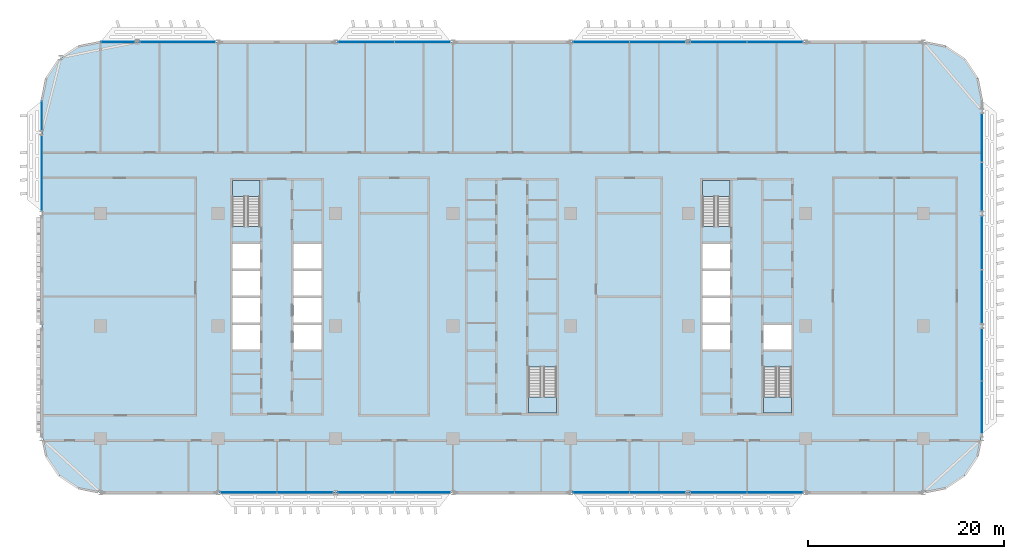
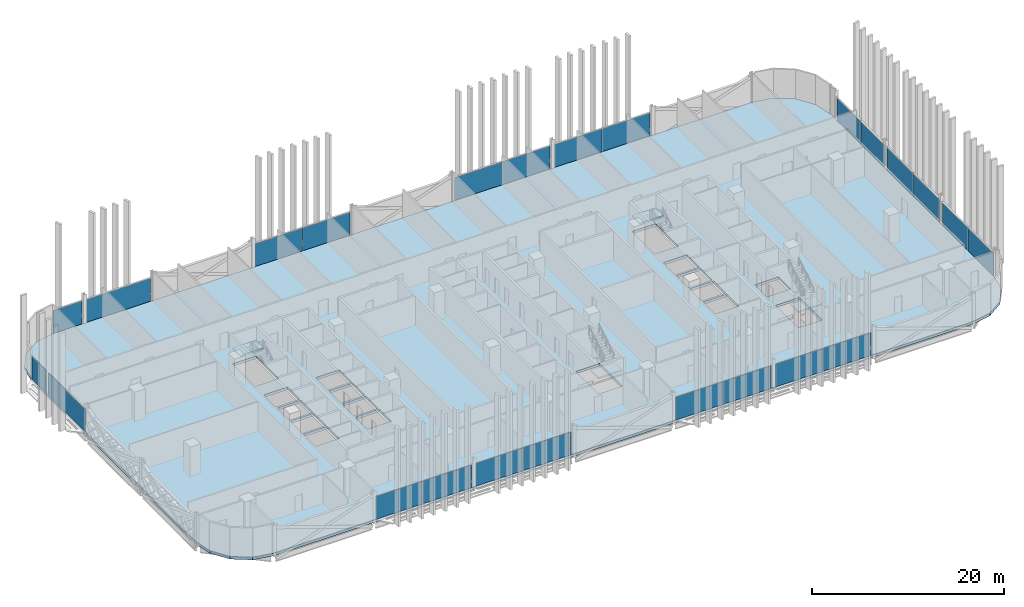
# One storey, part 11 of 32: 24 plates, 5 slabs, 18 elements without a shape of their own.
"""IFC4 building model written with IfcOpenShell, lengths in metres."""

from ifc_helpers import new_model, si_unit, direction, frame, origin, origin_2d, place, context, subcontext, project, spatial, polyline, rectangle, outline, extrude, material, layer, layer_set, type_object, element, aggregate, save


model = new_model("IFC4")

# Units and contexts
model_context = context("Model", 3, precision=1e-05, world=origin(), true_north=direction((0.0, 1.0)))
body_context = subcontext(model_context, "Body", "Model", "MODEL_VIEW")
ifc_project = project(units=[si_unit("LENGTHUNIT", "METRE"), si_unit("AREAUNIT", "SQUARE_METRE"), si_unit("VOLUMEUNIT", "CUBIC_METRE"), si_unit("PLANEANGLEUNIT", "RADIAN"), si_unit("MASSUNIT", "GRAM", prefix="KILO")], contexts=[model_context])

# Site, building, storey
site_placement = place(None, origin())
site = spatial("IfcSite", under=ifc_project, at=site_placement, CompositionType="ELEMENT")
building_placement = place(site_placement, origin())
building = spatial("IfcBuilding", under=site, at=building_placement, Name="Mahtab Terrace Research Tower", CompositionType="ELEMENT")
storey_placement = place(building_placement, frame((0.0, 0.0, 138.39990234375)))
storey = spatial("IfcBuildingStorey", under=building, at=storey_placement, Name="L32", CompositionType="ELEMENT", Elevation=138.39990234375)

# Stair, slab
ifc_material_1 = material(Name="Exit stair half-turn")
stair_type = type_object("IfcStairType", Name="Exit stair half-turn", PredefinedType="HALF_TURN_STAIR", material=ifc_material_1)
stair_1_placement = place(storey_placement, origin())
stair_1 = element("IfcStair", 1, at=stair_1_placement, inside=storey, type_object=stair_type, Name="L32 Protected exit stair ST1", PredefinedType="HALF_TURN_STAIR")
ifc_material_2 = material(Name="Concrete C40/50", Category="concrete")
ifc_layer_1 = layer(ifc_material_2, 0.199951171875)
ifc_layer_set_1 = layer_set([ifc_layer_1], Name="Exit stair landing 200")
slab_type_1 = type_object("IfcSlabType", Name="Exit stair landing 200", PredefinedType="LANDING", material=ifc_layer_set_1)
slab_1_placement = place(storey_placement, frame((0.0, 0.0, 1.85009765625)))
slab_1 = element("IfcSlab", 2, at=slab_1_placement, type_object=slab_type_1, Name="ST1 landing 1", PredefinedType="LANDING", context=body_context, shape_type="SweptSolid", body=[
    extrude(outline(polyline([(-25.699951171875, 13.2548828125), (-25.699951171875, 14.875), (-28.550048828125, 14.875), (-28.550048828125, 13.2548828125), (-25.699951171875, 13.2548828125)])), origin(), (0.0, 0.0, 1.0), 0.199951171875),
])
aggregate(stair_1, [slab_1])

stair_2_placement = place(storey_placement, origin())
stair_2 = element("IfcStair", 3, at=stair_2_placement, inside=storey, type_object=stair_type, Name="L32 Protected exit stair ST2", PredefinedType="HALF_TURN_STAIR")
slab_2_placement = place(storey_placement, frame((0.0, 0.0, 1.85009765625)))
slab_2 = element("IfcSlab", 4, at=slab_2_placement, type_object=slab_type_1, Name="ST2 landing 1", PredefinedType="LANDING", context=body_context, shape_type="SweptSolid", body=[
    extrude(outline(polyline([(1.699951171875, -7.2548828125), (1.699951171875, -8.875), (4.550048828125, -8.875), (4.550048828125, -7.2548828125), (1.699951171875, -7.2548828125)])), origin(), (0.0, 0.0, 1.0), 0.199951171875),
])
aggregate(stair_2, [slab_2])

stair_3_placement = place(storey_placement, origin())
stair_3 = element("IfcStair", 5, at=stair_3_placement, inside=storey, type_object=stair_type, Name="L32 Protected exit stair ST3", PredefinedType="HALF_TURN_STAIR")
slab_3_placement = place(storey_placement, frame((0.0, 0.0, 1.85009765625)))
slab_3 = element("IfcSlab", 6, at=slab_3_placement, type_object=slab_type_1, Name="ST3 landing 1", PredefinedType="LANDING", context=body_context, shape_type="SweptSolid", body=[
    extrude(outline(polyline([(22.300048828125, 13.2548828125), (22.300048828125, 14.875), (19.449951171875, 14.875), (19.449951171875, 13.2548828125), (22.300048828125, 13.2548828125)])), origin(), (0.0, 0.0, 1.0), 0.199951171875),
])
aggregate(stair_3, [slab_3])

stair_4_placement = place(storey_placement, origin())
stair_4 = element("IfcStair", 7, at=stair_4_placement, inside=storey, type_object=stair_type, Name="L32 Protected exit stair ST4", PredefinedType="HALF_TURN_STAIR")
slab_4_placement = place(storey_placement, frame((0.0, 0.0, 1.85009765625)))
slab_4 = element("IfcSlab", 8, at=slab_4_placement, type_object=slab_type_1, Name="ST4 landing 1", PredefinedType="LANDING", context=body_context, shape_type="SweptSolid", body=[
    extrude(outline(polyline([(25.699951171875, -7.2548828125), (25.699951171875, -8.875), (28.550048828125, -8.875), (28.550048828125, -7.2548828125), (25.699951171875, -7.2548828125)])), origin(), (0.0, 0.0, 1.0), 0.199951171875),
])
aggregate(stair_4, [slab_4])

# Curtain wall, plates
ifc_material_3 = material(Name="Laboratory ribbon curtain wall")
curtain_wall_type = type_object("IfcCurtainWallType", Name="Laboratory ribbon curtain wall", PredefinedType="NOTDEFINED", material=ifc_material_3)
curtain_wall_1_placement = place(storey_placement, origin())
curtain_wall_1 = element("IfcCurtainWall", 9, at=curtain_wall_1_placement, inside=storey, type_object=curtain_wall_type, Name="EN.L32.3.4", PredefinedType="NOTDEFINED")
ifc_material_4 = material(Name="Dark glazing", Category="glass")
ifc_layer_2 = layer(ifc_material_4, 0.031982421875)
ifc_layer_set_2 = layer_set([ifc_layer_2], Name="Laboratory ribbon curtain wall glazing panel")
plate_type = type_object("IfcPlateType", Name="Laboratory ribbon curtain wall glazing panel", PredefinedType="CURTAIN_PANEL", material=ifc_layer_set_2)
plate_1_placement = place(storey_placement, frame((26.874755859375, 29.0, 0.0), z_axis=(0.0, 0.0, 1.0), x_axis=(-1.0, 0.0, 0.0)))
plate_1 = element("IfcPlate", 10, at=plate_1_placement, type_object=plate_type, Name="CWL-4 panel 1", PredefinedType="CURTAIN_PANEL", context=body_context, shape_type="SweptSolid", body=[
    extrude(rectangle(XDim=5.6845703125, YDim=0.031982421875, at=origin_2d()), origin(), (0.0, 0.0, 1.0), 2.903076171875),
])
plate_2_placement = place(storey_placement, frame((21.125244140625, 29.0, 0.0), z_axis=(0.0, 0.0, 1.0), x_axis=(-1.0, 0.0, 0.0)))
plate_2 = element("IfcPlate", 11, at=plate_2_placement, type_object=plate_type, Name="CWL-4 panel 2", PredefinedType="CURTAIN_PANEL", context=body_context, shape_type="SweptSolid", body=[
    extrude(rectangle(XDim=5.6845703125, YDim=0.031982421875, at=origin_2d()), origin(), (0.0, 0.0, 1.0), 2.903076171875),
])
aggregate(curtain_wall_1, [plate_1, plate_2])

curtain_wall_2_placement = place(storey_placement, origin())
curtain_wall_2 = element("IfcCurtainWall", 12, at=curtain_wall_2_placement, inside=storey, type_object=curtain_wall_type, Name="EN.L32.3.5", PredefinedType="NOTDEFINED")
plate_3_placement = place(storey_placement, frame((14.874755859375, 29.0, 0.0), z_axis=(0.0, 0.0, 1.0), x_axis=(-1.0, 0.0, 0.0)))
plate_3 = element("IfcPlate", 13, at=plate_3_placement, type_object=plate_type, Name="CWL-4 panel 1", PredefinedType="CURTAIN_PANEL", context=body_context, shape_type="SweptSolid", body=[
    extrude(rectangle(XDim=5.6845703125, YDim=0.031982421875, at=origin_2d()), origin(), (0.0, 0.0, 1.0), 2.903076171875),
])
plate_4_placement = place(storey_placement, frame((9.125244140625, 29.0, 0.0), z_axis=(0.0, 0.0, 1.0), x_axis=(-1.0, 0.0, 0.0)))
plate_4 = element("IfcPlate", 14, at=plate_4_placement, type_object=plate_type, Name="CWL-4 panel 2", PredefinedType="CURTAIN_PANEL", context=body_context, shape_type="SweptSolid", body=[
    extrude(rectangle(XDim=5.6845703125, YDim=0.031982421875, at=origin_2d()), origin(), (0.0, 0.0, 1.0), 2.903076171875),
])
aggregate(curtain_wall_2, [plate_3, plate_4])

curtain_wall_3_placement = place(storey_placement, origin())
curtain_wall_3 = element("IfcCurtainWall", 15, at=curtain_wall_3_placement, inside=storey, type_object=curtain_wall_type, Name="EN.L32.3.7", PredefinedType="NOTDEFINED")
plate_5_placement = place(storey_placement, frame((-9.125244140625, 29.0, 0.0), z_axis=(0.0, 0.0, 1.0), x_axis=(-1.0, 0.0, 0.0)))
plate_5 = element("IfcPlate", 16, at=plate_5_placement, type_object=plate_type, Name="CWL-4 panel 1", PredefinedType="CURTAIN_PANEL", context=body_context, shape_type="SweptSolid", body=[
    extrude(rectangle(XDim=5.6845703125, YDim=0.031982421875, at=origin_2d()), origin(), (0.0, 0.0, 1.0), 2.903076171875),
])
plate_6_placement = place(storey_placement, frame((-14.874755859375, 29.0, 0.0), z_axis=(0.0, 0.0, 1.0), x_axis=(-1.0, 0.0, 0.0)))
plate_6 = element("IfcPlate", 17, at=plate_6_placement, type_object=plate_type, Name="CWL-4 panel 2", PredefinedType="CURTAIN_PANEL", context=body_context, shape_type="SweptSolid", body=[
    extrude(rectangle(XDim=5.6845703125, YDim=0.031982421875, at=origin_2d()), origin(), (0.0, 0.0, 1.0), 2.903076171875),
])
aggregate(curtain_wall_3, [plate_5, plate_6])

# Curtain wall, plate
curtain_wall_4_placement = place(storey_placement, origin())
curtain_wall_4 = element("IfcCurtainWall", 18, at=curtain_wall_4_placement, inside=storey, type_object=curtain_wall_type, Name="EN.L32.3.9", PredefinedType="NOTDEFINED")
plate_7_placement = place(storey_placement, frame((-34.115478515625, 29.0, 0.0), z_axis=(0.0, 0.0, 1.0), x_axis=(-1.0, 0.0, 0.0)))
plate_7 = element("IfcPlate", 19, at=plate_7_placement, type_object=plate_type, Name="CWL-4 panel 1", PredefinedType="CURTAIN_PANEL", context=body_context, shape_type="SweptSolid", body=[
    extrude(rectangle(XDim=7.6650390625, YDim=0.031982421875, at=origin_2d()), origin(), (0.0, 0.0, 1.0), 2.903076171875),
])
aggregate(curtain_wall_4, [plate_7])

curtain_wall_5_placement = place(storey_placement, origin())
curtain_wall_5 = element("IfcCurtainWall", 20, at=curtain_wall_5_placement, inside=storey, type_object=curtain_wall_type, Name="EN.L32.3.10", PredefinedType="NOTDEFINED")
plate_8_placement = place(storey_placement, frame((-40.224609375, 29.0, 0.0), z_axis=(0.0, 0.0, 1.0), x_axis=(-1.0, 0.0, 0.0)))
plate_8 = element("IfcPlate", 21, at=plate_8_placement, type_object=plate_type, Name="CWL-4 panel 1", PredefinedType="CURTAIN_PANEL", context=body_context, shape_type="SweptSolid", body=[
    extrude(rectangle(XDim=3.4208984375, YDim=0.031982421875, at=origin_2d()), origin(), (0.0, 0.0, 1.0), 2.903076171875),
])
aggregate(curtain_wall_5, [plate_8])

curtain_wall_6_placement = place(storey_placement, origin())
curtain_wall_6 = element("IfcCurtainWall", 22, at=curtain_wall_6_placement, inside=storey, type_object=curtain_wall_type, Name="EN.L32.8.15", PredefinedType="NOTDEFINED")
plate_9_placement = place(storey_placement, frame((-48.0, 21.474609375, 0.0), z_axis=(0.0, 0.0, 1.0), x_axis=(0.0, -1.0, 0.0)))
plate_9 = element("IfcPlate", 23, at=plate_9_placement, type_object=plate_type, Name="CWL-4 panel 1", PredefinedType="CURTAIN_PANEL", context=body_context, shape_type="SweptSolid", body=[
    extrude(rectangle(XDim=2.9208984375, YDim=0.031982421875, at=origin_2d()), origin(), (0.0, 0.0, 1.0), 2.903076171875),
])
aggregate(curtain_wall_6, [plate_9])

curtain_wall_7_placement = place(storey_placement, origin())
curtain_wall_7 = element("IfcCurtainWall", 24, at=curtain_wall_7_placement, inside=storey, type_object=curtain_wall_type, Name="EN.L32.8.16", PredefinedType="NOTDEFINED")
plate_10_placement = place(storey_placement, frame((-48.0, 15.615478515625, 0.0), z_axis=(0.0, 0.0, 1.0), x_axis=(0.0, -1.0, 0.0)))
plate_10 = element("IfcPlate", 25, at=plate_10_placement, type_object=plate_type, Name="CWL-4 panel 1", PredefinedType="CURTAIN_PANEL", context=body_context, shape_type="SweptSolid", body=[
    extrude(rectangle(XDim=7.6650390625, YDim=0.031982421875, at=origin_2d()), origin(), (0.0, 0.0, 1.0), 2.903076171875),
])
aggregate(curtain_wall_7, [plate_10])

# Curtain wall, plates
curtain_wall_8_placement = place(storey_placement, origin())
curtain_wall_8 = element("IfcCurtainWall", 26, at=curtain_wall_8_placement, inside=storey, type_object=curtain_wall_type, Name="EN.L32.13.25", PredefinedType="NOTDEFINED")
plate_11_placement = place(storey_placement, frame((-26.874755859375, -17.0, 0.0), z_axis=(0.0, 0.0, 1.0), x_axis=(1.0, 0.0, 0.0)))
plate_11 = element("IfcPlate", 27, at=plate_11_placement, type_object=plate_type, Name="CWL-4 panel 1", PredefinedType="CURTAIN_PANEL", context=body_context, shape_type="SweptSolid", body=[
    extrude(rectangle(XDim=5.6845703125, YDim=0.031982421875, at=origin_2d()), origin(), (0.0, 0.0, 1.0), 2.903076171875),
])
plate_12_placement = place(storey_placement, frame((-21.125244140625, -17.0, 0.0), z_axis=(0.0, 0.0, 1.0), x_axis=(1.0, 0.0, 0.0)))
plate_12 = element("IfcPlate", 28, at=plate_12_placement, type_object=plate_type, Name="CWL-4 panel 2", PredefinedType="CURTAIN_PANEL", context=body_context, shape_type="SweptSolid", body=[
    extrude(rectangle(XDim=5.6845703125, YDim=0.031982421875, at=origin_2d()), origin(), (0.0, 0.0, 1.0), 2.903076171875),
])
aggregate(curtain_wall_8, [plate_11, plate_12])

curtain_wall_9_placement = place(storey_placement, origin())
curtain_wall_9 = element("IfcCurtainWall", 29, at=curtain_wall_9_placement, inside=storey, type_object=curtain_wall_type, Name="EN.L32.13.26", PredefinedType="NOTDEFINED")
plate_13_placement = place(storey_placement, frame((-14.874755859375, -17.0, 0.0), z_axis=(0.0, 0.0, 1.0), x_axis=(1.0, 0.0, 0.0)))
plate_13 = element("IfcPlate", 30, at=plate_13_placement, type_object=plate_type, Name="CWL-4 panel 1", PredefinedType="CURTAIN_PANEL", context=body_context, shape_type="SweptSolid", body=[
    extrude(rectangle(XDim=5.6845703125, YDim=0.031982421875, at=origin_2d()), origin(), (0.0, 0.0, 1.0), 2.903076171875),
])
plate_14_placement = place(storey_placement, frame((-9.125244140625, -17.0, 0.0), z_axis=(0.0, 0.0, 1.0), x_axis=(1.0, 0.0, 0.0)))
plate_14 = element("IfcPlate", 31, at=plate_14_placement, type_object=plate_type, Name="CWL-4 panel 2", PredefinedType="CURTAIN_PANEL", context=body_context, shape_type="SweptSolid", body=[
    extrude(rectangle(XDim=5.6845703125, YDim=0.031982421875, at=origin_2d()), origin(), (0.0, 0.0, 1.0), 2.903076171875),
])
aggregate(curtain_wall_9, [plate_13, plate_14])

curtain_wall_10_placement = place(storey_placement, origin())
curtain_wall_10 = element("IfcCurtainWall", 32, at=curtain_wall_10_placement, inside=storey, type_object=curtain_wall_type, Name="EN.L32.13.28", PredefinedType="NOTDEFINED")
plate_15_placement = place(storey_placement, frame((9.125244140625, -17.0, 0.0), z_axis=(0.0, 0.0, 1.0), x_axis=(1.0, 0.0, 0.0)))
plate_15 = element("IfcPlate", 33, at=plate_15_placement, type_object=plate_type, Name="CWL-4 panel 1", PredefinedType="CURTAIN_PANEL", context=body_context, shape_type="SweptSolid", body=[
    extrude(rectangle(XDim=5.6845703125, YDim=0.031982421875, at=origin_2d()), origin(), (0.0, 0.0, 1.0), 2.903076171875),
])
plate_16_placement = place(storey_placement, frame((14.874755859375, -17.0, 0.0), z_axis=(0.0, 0.0, 1.0), x_axis=(1.0, 0.0, 0.0)))
plate_16 = element("IfcPlate", 34, at=plate_16_placement, type_object=plate_type, Name="CWL-4 panel 2", PredefinedType="CURTAIN_PANEL", context=body_context, shape_type="SweptSolid", body=[
    extrude(rectangle(XDim=5.6845703125, YDim=0.031982421875, at=origin_2d()), origin(), (0.0, 0.0, 1.0), 2.903076171875),
])
aggregate(curtain_wall_10, [plate_15, plate_16])

curtain_wall_11_placement = place(storey_placement, origin())
curtain_wall_11 = element("IfcCurtainWall", 35, at=curtain_wall_11_placement, inside=storey, type_object=curtain_wall_type, Name="EN.L32.13.29", PredefinedType="NOTDEFINED")
plate_17_placement = place(storey_placement, frame((21.125244140625, -17.0, 0.0), z_axis=(0.0, 0.0, 1.0), x_axis=(1.0, 0.0, 0.0)))
plate_17 = element("IfcPlate", 36, at=plate_17_placement, type_object=plate_type, Name="CWL-4 panel 1", PredefinedType="CURTAIN_PANEL", context=body_context, shape_type="SweptSolid", body=[
    extrude(rectangle(XDim=5.6845703125, YDim=0.031982421875, at=origin_2d()), origin(), (0.0, 0.0, 1.0), 2.903076171875),
])
plate_18_placement = place(storey_placement, frame((26.874755859375, -17.0, 0.0), z_axis=(0.0, 0.0, 1.0), x_axis=(1.0, 0.0, 0.0)))
plate_18 = element("IfcPlate", 37, at=plate_18_placement, type_object=plate_type, Name="CWL-4 panel 2", PredefinedType="CURTAIN_PANEL", context=body_context, shape_type="SweptSolid", body=[
    extrude(rectangle(XDim=5.6845703125, YDim=0.031982421875, at=origin_2d()), origin(), (0.0, 0.0, 1.0), 2.903076171875),
])
aggregate(curtain_wall_11, [plate_17, plate_18])

curtain_wall_12_placement = place(storey_placement, origin())
curtain_wall_12 = element("IfcCurtainWall", 38, at=curtain_wall_12_placement, inside=storey, type_object=curtain_wall_type, Name="EN.L32.18.36", PredefinedType="NOTDEFINED")
plate_19_placement = place(storey_placement, frame((48.0, -8.288330078125, 0.0), z_axis=(0.0, 0.0, 1.0), x_axis=(0.0, 1.0, 0.0)))
plate_19 = element("IfcPlate", 39, at=plate_19_placement, type_object=plate_type, Name="CWL-4 panel 1", PredefinedType="CURTAIN_PANEL", context=body_context, shape_type="SweptSolid", body=[
    extrude(rectangle(XDim=5.29345703125, YDim=0.031982421875, at=origin_2d()), origin(), (0.0, 0.0, 1.0), 2.903076171875),
])
plate_20_placement = place(storey_placement, frame((48.0, -2.9296875, 0.0), z_axis=(0.0, 0.0, 1.0), x_axis=(0.0, 1.0, 0.0)))
plate_20 = element("IfcPlate", 40, at=plate_20_placement, type_object=plate_type, Name="CWL-4 panel 2", PredefinedType="CURTAIN_PANEL", context=body_context, shape_type="SweptSolid", body=[
    extrude(rectangle(XDim=5.29345703125, YDim=0.031982421875, at=origin_2d()), origin(), (0.0, 0.0, 1.0), 2.903076171875),
])
aggregate(curtain_wall_12, [plate_19, plate_20])

curtain_wall_13_placement = place(storey_placement, origin())
curtain_wall_13 = element("IfcCurtainWall", 41, at=curtain_wall_13_placement, inside=storey, type_object=curtain_wall_type, Name="EN.L32.18.37", PredefinedType="NOTDEFINED")
plate_21_placement = place(storey_placement, frame((48.0, 3.000244140625, 0.0), z_axis=(0.0, 0.0, 1.0), x_axis=(0.0, 1.0, 0.0)))
plate_21 = element("IfcPlate", 42, at=plate_21_placement, type_object=plate_type, Name="CWL-4 panel 1", PredefinedType="CURTAIN_PANEL", context=body_context, shape_type="SweptSolid", body=[
    extrude(rectangle(XDim=5.4345703125, YDim=0.031982421875, at=origin_2d()), origin(), (0.0, 0.0, 1.0), 2.903076171875),
])
plate_22_placement = place(storey_placement, frame((48.0, 8.499755859375, 0.0), z_axis=(0.0, 0.0, 1.0), x_axis=(0.0, 1.0, 0.0)))
plate_22 = element("IfcPlate", 43, at=plate_22_placement, type_object=plate_type, Name="CWL-4 panel 2", PredefinedType="CURTAIN_PANEL", context=body_context, shape_type="SweptSolid", body=[
    extrude(rectangle(XDim=5.4345703125, YDim=0.031982421875, at=origin_2d()), origin(), (0.0, 0.0, 1.0), 2.903076171875),
])
aggregate(curtain_wall_13, [plate_21, plate_22])

curtain_wall_14_placement = place(storey_placement, origin())
curtain_wall_14 = element("IfcCurtainWall", 44, at=curtain_wall_14_placement, inside=storey, type_object=curtain_wall_type, Name="EN.L32.18.38", PredefinedType="NOTDEFINED")
plate_23_placement = place(storey_placement, frame((48.0, 14.24072265625, 0.0), z_axis=(0.0, 0.0, 1.0), x_axis=(0.0, 1.0, 0.0)))
plate_23 = element("IfcPlate", 45, at=plate_23_placement, type_object=plate_type, Name="CWL-4 panel 1", PredefinedType="CURTAIN_PANEL", context=body_context, shape_type="SweptSolid", body=[
    extrude(rectangle(XDim=4.91552734375, YDim=0.031982421875, at=origin_2d()), origin(), (0.0, 0.0, 1.0), 2.903076171875),
])
plate_24_placement = place(storey_placement, frame((48.0, 19.22119140625, 0.0), z_axis=(0.0, 0.0, 1.0), x_axis=(0.0, 1.0, 0.0)))
plate_24 = element("IfcPlate", 46, at=plate_24_placement, type_object=plate_type, Name="CWL-4 panel 2", PredefinedType="CURTAIN_PANEL", context=body_context, shape_type="SweptSolid", body=[
    extrude(rectangle(XDim=4.91552734375, YDim=0.031982421875, at=origin_2d()), origin(), (0.0, 0.0, 1.0), 2.903076171875),
])
aggregate(curtain_wall_14, [plate_23, plate_24])

# Slab
ifc_layer_3 = layer(ifc_material_2, 0.340087890625)
ifc_layer_set_3 = layer_set([ifc_layer_3], Name="PT flat slab 340")
slab_type_2 = type_object("IfcSlabType", Name="PT flat slab 340", PredefinedType="FLOOR", material=ifc_layer_set_3)
slab_5_placement = place(storey_placement, frame((0.0, 0.0, -0.33984375)))
element("IfcSlab", 47, at=slab_5_placement, inside=storey, type_object=slab_type_2, Name="Floor slab L32", PredefinedType="FLOOR", context=body_context, shape_type="SweptSolid", body=[
    extrude(outline(polyline([(47.54296875, 25.2958984375), (46.242919921875, 27.242919921875), (44.2958984375, 28.54296875), (42.0, 29.0), (-42.0, 29.0), (-44.2958984375, 28.54296875), (-46.242919921875, 27.242919921875), (-47.54296875, 25.2958984375), (-48.0, 23.0), (-48.0, -11.0), (-47.54296875, -13.2958984375), (-46.242919921875, -15.242919921875), (-44.2958984375, -16.54296875), (-42.0, -17.0), (42.0, -17.0), (44.2958984375, -16.54296875), (46.242919921875, -15.242919921875), (47.54296875, -13.2958984375), (48.0, -11.0), (48.0, 23.0), (47.54296875, 25.2958984375)]), holes=[polyline([(-28.550048828125, -2.375), (-28.550048828125, 0.125), (-25.699951171875, 0.125), (-25.699951171875, -2.375), (-28.550048828125, -2.375)]), polyline([(-22.300048828125, -2.375), (-22.300048828125, 0.125), (-19.449951171875, 0.125), (-19.449951171875, -2.375), (-22.300048828125, -2.375)]), polyline([(-28.550048828125, 0.375), (-28.550048828125, 2.875), (-25.699951171875, 2.875), (-25.699951171875, 0.375), (-28.550048828125, 0.375)]), polyline([(-22.300048828125, 0.375), (-22.300048828125, 2.875), (-19.449951171875, 2.875), (-19.449951171875, 0.375), (-22.300048828125, 0.375)]), polyline([(-28.550048828125, 3.125), (-28.550048828125, 5.625), (-25.699951171875, 5.625), (-25.699951171875, 3.125), (-28.550048828125, 3.125)]), polyline([(-22.300048828125, 3.125), (-22.300048828125, 5.625), (-19.449951171875, 5.625), (-19.449951171875, 3.125), (-22.300048828125, 3.125)]), polyline([(-28.550048828125, 5.875), (-28.550048828125, 8.375), (-25.699951171875, 8.375), (-25.699951171875, 5.875), (-28.550048828125, 5.875)]), polyline([(-22.300048828125, 5.875), (-22.300048828125, 8.375), (-19.449951171875, 8.375), (-19.449951171875, 5.875), (-22.300048828125, 5.875)]), polyline([(-28.550048828125, 10.177001953125), (-28.550048828125, 14.875), (-25.699951171875, 14.875), (-25.699951171875, 10.177001953125), (-28.550048828125, 10.177001953125)]), polyline([(1.699951171875, -8.875), (1.699951171875, -4.177001953125), (4.550048828125, -4.177001953125), (4.550048828125, -8.875), (1.699951171875, -8.875)]), polyline([(25.699951171875, -8.875), (25.699951171875, -4.177001953125), (28.550048828125, -4.177001953125), (28.550048828125, -8.875), (25.699951171875, -8.875)]), polyline([(19.449951171875, -2.375), (19.449951171875, 0.125), (22.300048828125, 0.125), (22.300048828125, -2.375), (19.449951171875, -2.375)]), polyline([(25.699951171875, -2.375), (25.699951171875, 0.125), (28.550048828125, 0.125), (28.550048828125, -2.375), (25.699951171875, -2.375)]), polyline([(19.449951171875, 0.375), (19.449951171875, 2.875), (22.300048828125, 2.875), (22.300048828125, 0.375), (19.449951171875, 0.375)]), polyline([(19.449951171875, 3.125), (19.449951171875, 5.625), (22.300048828125, 5.625), (22.300048828125, 3.125), (19.449951171875, 3.125)]), polyline([(19.449951171875, 8.375), (22.300048828125, 8.375), (22.300048828125, 5.875), (19.449951171875, 5.875), (19.449951171875, 8.375)]), polyline([(19.449951171875, 14.875), (22.300048828125, 14.875), (22.300048828125, 10.177001953125), (19.449951171875, 10.177001953125), (19.449951171875, 14.875)])]), origin(), (0.0, 0.0, 1.0), 0.33984375),
])

save(model, "model.ifc")
